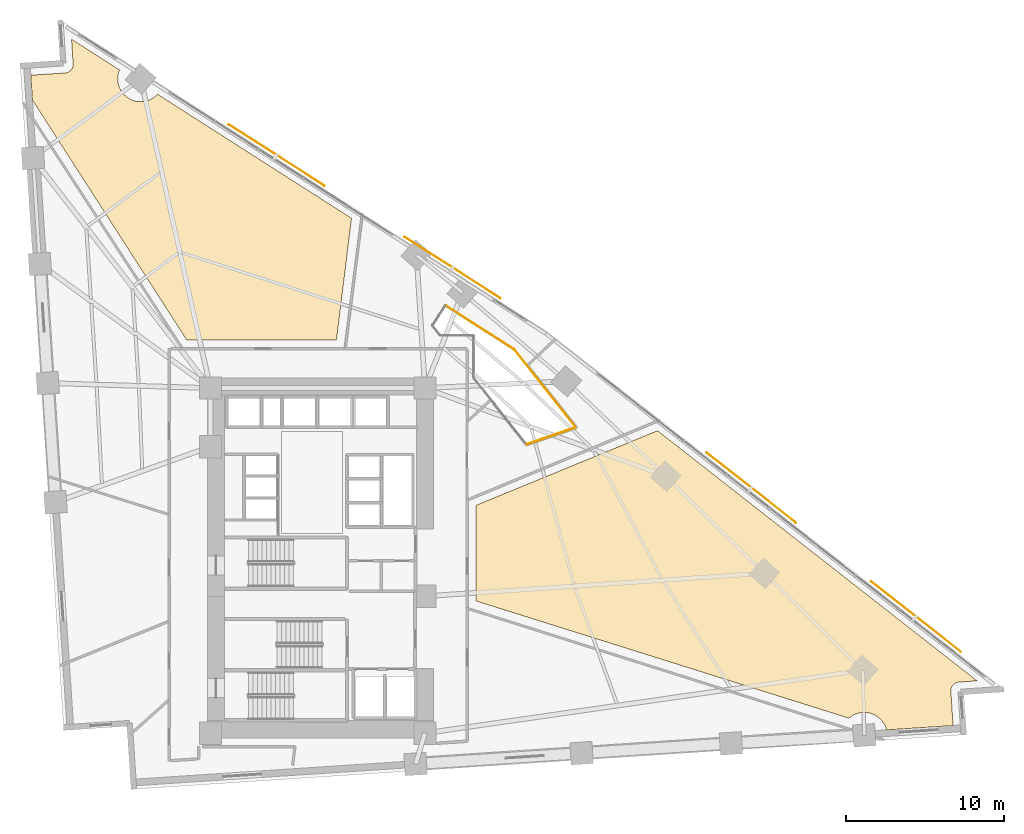
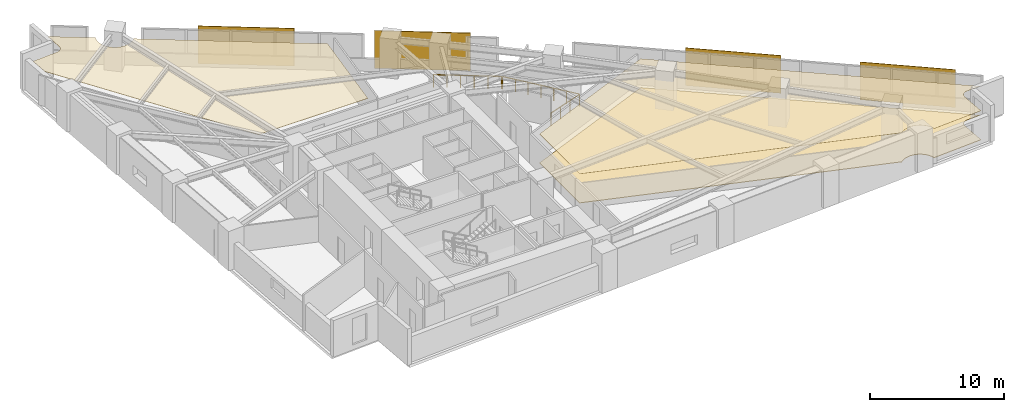
# One storey, part 16 of 16: 4 shading devices, 3 coverings, 3 railings.
"""IFC4 building model written with IfcOpenShell, lengths in metres."""

from ifc_helpers import new_model, si_unit, direction, frame, origin, origin_2d, place, context, subcontext, project, spatial, polyline, rectangle, circle, outline, extrude, material, layer, layer_set, type_object, element, save


model = new_model("IFC4")

# Units and contexts
model_context = context("Model", 3, precision=1e-05, world=origin(), true_north=direction((0.0, 1.0)))
body_context = subcontext(model_context, "Body", "Model", "MODEL_VIEW")
ifc_project = project(units=[si_unit("LENGTHUNIT", "METRE"), si_unit("AREAUNIT", "SQUARE_METRE"), si_unit("VOLUMEUNIT", "CUBIC_METRE"), si_unit("PLANEANGLEUNIT", "RADIAN"), si_unit("MASSUNIT", "GRAM", prefix="KILO")], contexts=[model_context])

# Site, building, storey
site_placement = place(None, origin())
site = spatial("IfcSite", under=ifc_project, at=site_placement, CompositionType="ELEMENT")
building_placement = place(site_placement, origin())
building = spatial("IfcBuilding", under=site, at=building_placement, Name="Narakoshi Arena Tower", CompositionType="ELEMENT")
storey_placement = place(building_placement, frame((0.0, 0.0, 77.699951171875)))
storey = spatial("IfcBuildingStorey", under=building, at=storey_placement, Name="L20", CompositionType="ELEMENT", Elevation=77.699951171875)

# Coverings
ifc_material_1 = material(Name="Acoustic mineral-fibre ceiling tile")
ifc_layer_1 = layer(ifc_material_1, 0.02001953125)
ifc_layer_set_1 = layer_set([ifc_layer_1], Name="Acoustic mineral-fibre ceiling tile")
covering_type_1 = type_object("IfcCoveringType", Name="COV-CLG-AC20", PredefinedType="CEILING", material=ifc_layer_set_1)
covering_1_placement = place(storey_placement, frame((0.0, 0.0, 2.670166015625)))
element("IfcCovering", 1, at=covering_1_placement, inside=storey, type_object=covering_type_1, Name="L20 Suspended Acoustic Ceiling 1", PredefinedType="CEILING", context=body_context, shape_type="SweptSolid", body=[
    extrude(outline(polyline([(119.28564453125, 37.9287109375), (119.23193359375, 37.922607421875), (119.17919921875, 37.9111328125), (119.1279296875, 37.89453125), (119.078369140625, 37.873046875), (119.03125, 37.846923828125), (118.98681640625, 37.816162109375), (118.945556640625, 37.78125), (118.908203125, 37.742431640625), (118.87451171875, 37.7001953125), (118.84521484375, 37.65478515625), (118.820556640625, 37.606689453125), (118.80078125, 37.556640625), (118.785888671875, 37.504638671875), (118.7763671875, 37.45166015625), (118.77197265625, 37.397705078125), (118.772705078125, 37.34375), (118.91455078125, 35.181884765625), (114.706787109375, 34.90625), (114.687255859375, 34.984375), (114.63916015625, 35.118408203125), (114.578369140625, 35.2470703125), (114.505126953125, 35.369140625), (114.42041015625, 35.4833984375), (114.324951171875, 35.5888671875), (114.219482421875, 35.684326171875), (114.105224609375, 35.76904296875), (113.983154296875, 35.84228515625), (113.8544921875, 35.903076171875), (113.720458984375, 35.951171875), (113.58251953125, 35.985595703125), (113.441650390625, 36.006591796875), (113.299560546875, 36.013427734375), (113.157470703125, 36.006591796875), (113.0166015625, 35.985595703125), (112.878662109375, 35.951171875), (112.74462890625, 35.903076171875), (112.6162109375, 35.84228515625), (112.493896484375, 35.76904296875), (112.379638671875, 35.684326171875), (112.338134765625, 35.646728515625), (88.759521484375, 43.058349609375), (88.759521484375, 49.087158203125), (100.24267578125, 53.80859375), (120.429931640625, 38.003662109375), (119.28564453125, 37.9287109375)])), origin(), (0.0, 0.0, 1.0), 0.019775390625),
])
ifc_material_2 = material(Name="Slatted oak acoustic timber baffle", Category="wood")
ifc_layer_2 = layer(ifc_material_2, 0.034912109375)
ifc_layer_set_2 = layer_set([ifc_layer_2], Name="Slatted oak acoustic timber baffle")
covering_type_2 = type_object("IfcCoveringType", Name="COV-CLG-WD35", PredefinedType="CEILING", material=ifc_layer_set_2)
covering_2_placement = place(storey_placement, frame((0.0, 0.0, 2.655029296875)))
element("IfcCovering", 2, at=covering_2_placement, inside=storey, type_object=covering_type_2, Name="L20 Suspended Acoustic Ceiling 2", PredefinedType="CEILING", context=body_context, shape_type="SweptSolid", body=[
    extrude(outline(polyline([(62.863037109375, 76.41552734375), (62.915771484375, 76.427001953125), (62.967041015625, 76.443603515625), (63.0166015625, 76.46484375), (63.063720703125, 76.4912109375), (63.108154296875, 76.52197265625), (63.1494140625, 76.556884765625), (63.18701171875, 76.595703125), (63.220458984375, 76.6376953125), (63.249755859375, 76.68310546875), (63.2744140625, 76.731201171875), (63.294189453125, 76.781494140625), (63.30908203125, 76.833251953125), (63.318603515625, 76.886474609375), (63.322998046875, 76.940185546875), (63.322265625, 76.994140625), (63.220703125, 78.541259765625), (66.252197265625, 76.602294921875), (66.250244140625, 76.598388671875), (66.202392578125, 76.46435546875), (66.167724609375, 76.326416015625), (66.14697265625, 76.185546875), (66.139892578125, 76.04345703125), (66.14697265625, 75.9013671875), (66.167724609375, 75.760498046875), (66.202392578125, 75.62255859375), (66.250244140625, 75.488525390625), (66.31103515625, 75.35986328125), (66.38427734375, 75.23779296875), (66.468994140625, 75.12353515625), (66.564697265625, 75.01806640625), (66.669921875, 74.922607421875), (66.7841796875, 74.837890625), (66.906494140625, 74.7646484375), (67.034912109375, 74.703857421875), (67.1689453125, 74.65576171875), (67.306884765625, 74.621337890625), (67.44775390625, 74.600341796875), (67.58984375, 74.593505859375), (67.73193359375, 74.600341796875), (67.872802734375, 74.621337890625), (68.0107421875, 74.65576171875), (68.144775390625, 74.703857421875), (68.2734375, 74.7646484375), (68.3955078125, 74.837890625), (68.509765625, 74.922607421875), (68.615234375, 75.01806640625), (68.656982421875, 75.064208984375), (80.908447265625, 67.227783203125), (79.95849609375, 59.547607421875), (70.496826171875, 59.547607421875), (60.75048828125, 74.7001953125), (60.647705078125, 76.267578125), (62.809326171875, 76.409423828125), (62.863037109375, 76.41552734375)])), origin(), (0.0, 0.0, 1.0), 0.034912109375),
])
ifc_material_3 = material(Name="Raised steel access floor panel", Category="steel")
ifc_layer_3 = layer(ifc_material_3, 0.044921875)
ifc_layer_set_3 = layer_set([ifc_layer_3], Name="Raised steel access floor panel")
covering_type_3 = type_object("IfcCoveringType", Name="COV-FLR-RF45", PredefinedType="FLOORING", material=ifc_layer_set_3)
covering_3_placement = place(storey_placement, origin())
element("IfcCovering", 3, at=covering_3_placement, inside=storey, type_object=covering_type_3, Name="L20 Raised Steel Access Floor", PredefinedType="FLOORING", context=body_context, shape_type="SweptSolid", body=[
    extrude(outline(polyline([(119.28564453125, 37.9287109375), (119.23193359375, 37.922607421875), (119.17919921875, 37.9111328125), (119.1279296875, 37.89453125), (119.078369140625, 37.873046875), (119.03125, 37.846923828125), (118.98681640625, 37.816162109375), (118.945556640625, 37.78125), (118.908203125, 37.742431640625), (118.87451171875, 37.7001953125), (118.84521484375, 37.65478515625), (118.820556640625, 37.606689453125), (118.80078125, 37.556640625), (118.785888671875, 37.504638671875), (118.7763671875, 37.45166015625), (118.77197265625, 37.397705078125), (118.772705078125, 37.34375), (118.91455078125, 35.181884765625), (114.706787109375, 34.90625), (114.687255859375, 34.984375), (114.63916015625, 35.118408203125), (114.578369140625, 35.2470703125), (114.505126953125, 35.369140625), (114.42041015625, 35.4833984375), (114.324951171875, 35.5888671875), (114.219482421875, 35.684326171875), (114.105224609375, 35.76904296875), (113.983154296875, 35.84228515625), (113.8544921875, 35.903076171875), (113.720458984375, 35.951171875), (113.58251953125, 35.985595703125), (113.441650390625, 36.006591796875), (113.299560546875, 36.013427734375), (113.157470703125, 36.006591796875), (113.0166015625, 35.985595703125), (112.878662109375, 35.951171875), (112.74462890625, 35.903076171875), (112.6162109375, 35.84228515625), (112.493896484375, 35.76904296875), (112.379638671875, 35.684326171875), (112.338134765625, 35.646728515625), (88.759521484375, 43.058349609375), (88.759521484375, 49.087158203125), (100.24267578125, 53.80859375), (120.429931640625, 38.003662109375), (119.28564453125, 37.9287109375)])), origin(), (0.0, 0.0, 1.0), 0.045166015625),
])

# Railings
ifc_material_4 = material(Name="Brushed bronze stainless steel", Category="steel")
railing_type = type_object("IfcRailingType", Name="RL-GRD-1150", PredefinedType="GUARDRAIL", material=ifc_material_4)
railing_1_placement = place(storey_placement, frame((86.86328125, 61.70947265625, 0.0)))
element("IfcRailing", 4, at=railing_1_placement, inside=storey, type_object=railing_type, Name="L20 Sky-Garden Atrium Void Guardrail 6", PredefinedType="GUARDRAIL", context=body_context, shape_type="SweptSolid", body=[
    extrude(circle(Radius=0.02392578125, at=origin_2d()), frame((0.0, 0.0, 1.1259765625), z_axis=(0.842416029942, -0.538827646374, 0.0), x_axis=(0.538827646374, 0.842416029942, 0.0)), (0.0, 0.0, 1.0), 5.11865234375),
    extrude(circle(Radius=0.02099609375, at=origin_2d()), origin(), (0.0, 0.0, 1.0), 1.101806640625),
    extrude(circle(Radius=0.02099609375, at=origin_2d()), frame((0.8623046875, -0.551513671875, 0.0)), (0.0, 0.0, 1.0), 1.101806640625),
    extrude(circle(Radius=0.02099609375, at=origin_2d()), frame((1.724853515625, -1.103271484375, 0.0)), (0.0, 0.0, 1.0), 1.101806640625),
    extrude(circle(Radius=0.02099609375, at=origin_2d()), frame((2.587158203125, -1.65478515625, 0.0)), (0.0, 0.0, 1.0), 1.101806640625),
    extrude(circle(Radius=0.02099609375, at=origin_2d()), frame((3.44970703125, -2.20654296875, 0.0)), (0.0, 0.0, 1.0), 1.101806640625),
    extrude(circle(Radius=0.02099609375, at=origin_2d()), frame((4.31201171875, -2.758056640625, 0.0)), (0.0, 0.0, 1.0), 1.101806640625),
])
railing_2_placement = place(storey_placement, frame((91.23388671875, 58.8984375, 0.0)))
element("IfcRailing", 5, at=railing_2_placement, inside=storey, type_object=railing_type, Name="L20 Sky-Garden Atrium Void Guardrail 7", PredefinedType="GUARDRAIL", context=body_context, shape_type="SweptSolid", body=[
    extrude(circle(Radius=0.02392578125, at=origin_2d()), frame((0.0, 0.0, 1.1259765625), z_axis=(0.620436799742, -0.784256448827, 0.0), x_axis=(0.784256448827, 0.620436799742, 0.0)), (0.0, 0.0, 1.0), 6.18017578125),
    extrude(circle(Radius=0.02099609375, at=origin_2d()), origin(), (0.0, 0.0, 1.0), 1.101806640625),
    extrude(circle(Radius=0.02099609375, at=origin_2d()), frame((0.63916015625, -0.807861328125, 0.0)), (0.0, 0.0, 1.0), 1.101806640625),
    extrude(circle(Radius=0.02099609375, at=origin_2d()), frame((1.278076171875, -1.61572265625, 0.0)), (0.0, 0.0, 1.0), 1.101806640625),
    extrude(circle(Radius=0.02099609375, at=origin_2d()), frame((1.917236328125, -2.42333984375, 0.0)), (0.0, 0.0, 1.0), 1.101806640625),
    extrude(circle(Radius=0.02099609375, at=origin_2d()), frame((2.556396484375, -3.231201171875, 0.0)), (0.0, 0.0, 1.0), 1.101806640625),
    extrude(circle(Radius=0.02099609375, at=origin_2d()), frame((3.1953125, -4.0390625, 0.0)), (0.0, 0.0, 1.0), 1.101806640625),
    extrude(circle(Radius=0.02099609375, at=origin_2d()), frame((3.83447265625, -4.846923828125, 0.0)), (0.0, 0.0, 1.0), 1.101806640625),
])
railing_3_placement = place(storey_placement, frame((95.055419921875, 54.0068359375, 0.0)))
element("IfcRailing", 6, at=railing_3_placement, inside=storey, type_object=railing_type, Name="L20 Sky-Garden Atrium Void Guardrail 8", PredefinedType="GUARDRAIL", context=body_context, shape_type="SweptSolid", body=[
    extrude(circle(Radius=0.02392578125, at=origin_2d()), frame((0.0, 0.0, 1.1259765625), z_axis=(-0.945026394516, -0.326994057543, 0.0), x_axis=(0.326994057543, -0.945026394516, 0.0)), (0.0, 0.0, 1.0), 3.23876953125),
    extrude(circle(Radius=0.02099609375, at=origin_2d()), origin(), (0.0, 0.0, 1.0), 1.101806640625),
    extrude(circle(Radius=0.02099609375, at=origin_2d()), frame((-1.020263671875, -0.35302734375, 0.0)), (0.0, 0.0, 1.0), 1.101806640625),
    extrude(circle(Radius=0.02099609375, at=origin_2d()), frame((-2.04052734375, -0.7060546875, 0.0)), (0.0, 0.0, 1.0), 1.101806640625),
    extrude(circle(Radius=0.02099609375, at=origin_2d()), frame((-3.060791015625, -1.05908203125, 0.0)), (0.0, 0.0, 1.0), 1.101806640625),
])

# Shading devices
ifc_material_5 = material(Name="Perforated bronze ceramic-metal composite")
ifc_layer_4 = layer(ifc_material_5, 0.044921875)
ifc_layer_set_4 = layer_set([ifc_layer_4], Name="Perforated bronze ceramic-metal composite")
shading_device_type = type_object("IfcShadingDeviceType", Name="SHD-SCR-BRZ1", PredefinedType="USERDEFINED", material=ifc_layer_set_4)
for number, where, z_axis, x_axis, name in (
    (7, (116.560546875, 42.06494140625, 0.0), (0.0, 0.0, 1.0), (-0.787387121413, 0.616458855912, 0.0), "L20 Perforated Bronze Solar Screen 1-1"),
    (8, (106.1669921875, 50.2021484375, 0.0), (0.0, 0.0, 1.0), (-0.787387121413, 0.616458855912, 0.0), "L20 Perforated Bronze Solar Screen 1-2"),
    (9, (87.29541015625, 64.10693359375, 0.0), (0.0, 0.0, 1.0), (-0.842414781658, 0.538829597966, 0.0), "L20 Perforated Bronze Solar Screen 2-1"),
    (10, (76.17529296875, 71.219482421875, 0.0), (0.0, 0.0, 1.0), (-0.842414781658, 0.538829597966, 0.0), "L20 Perforated Bronze Solar Screen 2-2"),
):
    element("IfcShadingDevice", number, at=place(storey_placement, frame(where, z_axis=z_axis, x_axis=x_axis)), inside=storey, type_object=shading_device_type, Name=name, ObjectType="SOLAR SCREEN", PredefinedType="USERDEFINED", context=body_context, shape_type="SweptSolid", body=[
        extrude(rectangle(XDim=7.199951171875, YDim=0.044921875, at=origin_2d()), origin(), (0.0, 0.0, 1.0), 3.449951171875),
    ])

save(model, "model.ifc")
